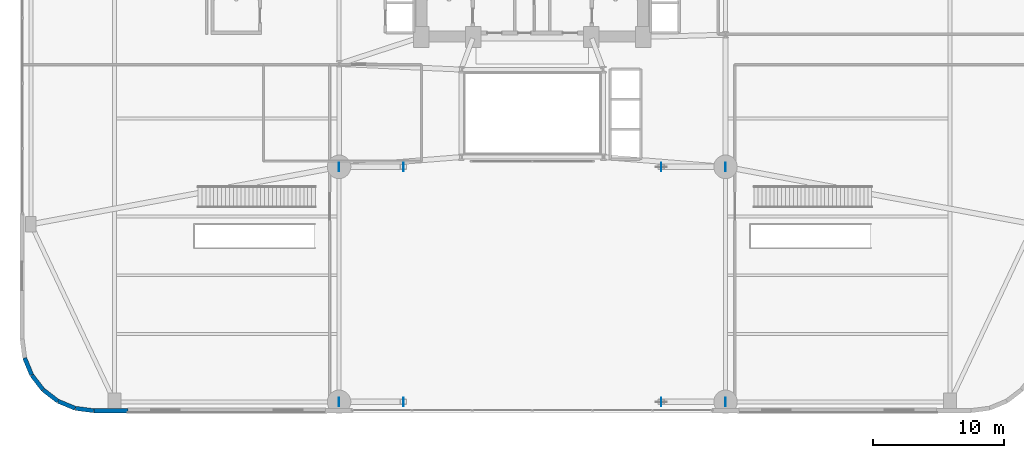
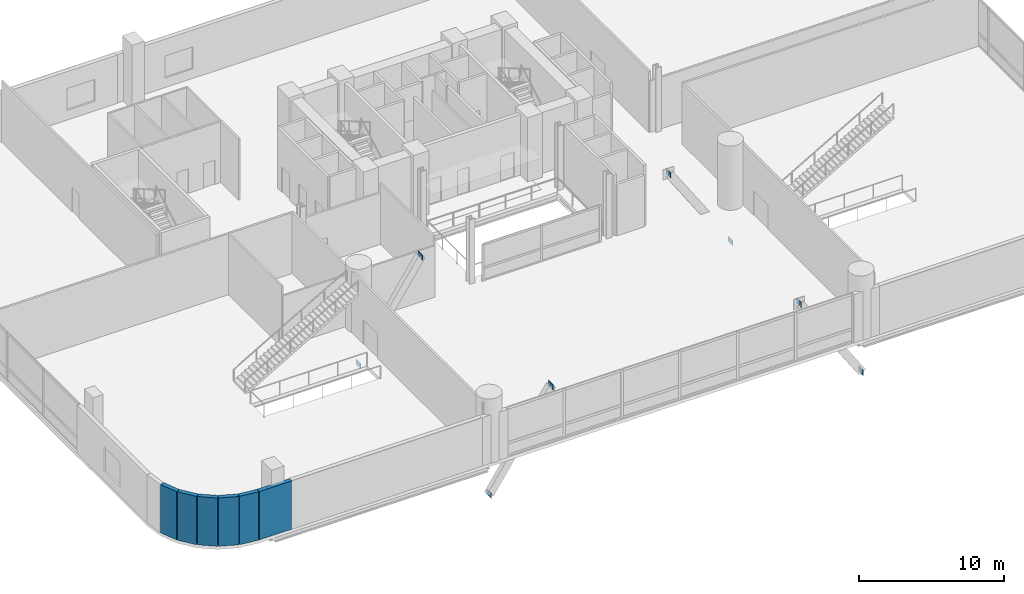
# One storey, part 29 of 40: 8 plates, 6 walls.
"""IFC4 building model written with IfcOpenShell, lengths in metres."""

from ifc_helpers import new_model, si_unit, direction, frame, frame_2d, origin, origin_2d, place, context, subcontext, project, spatial, rectangle, extrude, source, transform, mapped, material, layer, layer_set, type_object, element, save


model = new_model("IFC4")

# Units and contexts
model_context = context("Model", 3, precision=1e-05, world=origin(), true_north=direction((0.0, 1.0)))
body_context = subcontext(model_context, "Body", "Model", "MODEL_VIEW")
ifc_project = project(units=[si_unit("LENGTHUNIT", "METRE"), si_unit("AREAUNIT", "SQUARE_METRE"), si_unit("VOLUMEUNIT", "CUBIC_METRE"), si_unit("PLANEANGLEUNIT", "RADIAN"), si_unit("MASSUNIT", "GRAM", prefix="KILO")], contexts=[model_context])

# Site, building, storey
site_placement = place(None, origin())
site = spatial("IfcSite", under=ifc_project, at=site_placement, CompositionType="ELEMENT")
building_placement = place(site_placement, origin())
building = spatial("IfcBuilding", under=site, at=building_placement, Name="Varnelok Gate Tower", CompositionType="ELEMENT")
storey_placement = place(building_placement, frame((0.0, 0.0, 5.39990234375)))
storey = spatial("IfcBuildingStorey", under=building, at=storey_placement, Name="L01", CompositionType="ELEMENT", Elevation=5.39990234375)

# Plates
ifc_material_1 = material(Name="Structural Steel ASTM A572 Grade 50", Category="steel")
ifc_layer_1 = layer(ifc_material_1, 0.030029296875)
ifc_layer_set_1 = layer_set([ifc_layer_1], Name="Structural Steel ASTM A572 Grade 50")
plate_type = type_object("IfcPlateType", Name="PLT-ENDCAP-30", PredefinedType="SHEET", material=ifc_layer_set_1)
shared_shape = source(origin(), body_context, "Body", "SweptSolid", [
    extrude(rectangle(XDim=0.030029296875, YDim=0.639892578125, at=origin_2d()), origin(), (0.0, 0.0, 1.0), 0.43994140625),
])
for number, where, z_axis, x_axis, name in (
    (1, (24.4091796875, 0.800048828125, -3.40625), (0.0, 0.0, 1.0), (1.0, 0.0, 0.0), "L01 hollow member sealed end plate 1"),
    (2, (29.32421875, 0.800048828125, 3.999755859375), (0.0, 0.0, 1.0), (1.0, 0.0, 0.0), "L01 hollow member sealed end plate 2"),
    (3, (49.07568359375, 0.800048828125, 3.999755859375), (0.0, 0.0, 1.0), (1.0, 0.0, 0.0), "L01 hollow member sealed end plate 1"),
    (4, (53.990966796875, 0.800048828125, -3.40625), (0.0, 0.0, 1.0), (1.0, 0.0, 0.0), "L01 hollow member sealed end plate 2"),
    (5, (24.4091796875, 18.800048828125, -3.40625), (0.0, 0.0, 1.0), (1.0, 0.0, 0.0), "L01 hollow member sealed end plate 1"),
    (6, (29.32421875, 18.800048828125, 3.999755859375), (0.0, 0.0, 1.0), (1.0, 0.0, 0.0), "L01 hollow member sealed end plate 2"),
    (7, (49.07568359375, 18.800048828125, 3.999755859375), (0.0, 0.0, 1.0), (1.0, 0.0, 0.0), "L01 hollow member sealed end plate 1"),
    (8, (53.990966796875, 18.800048828125, -3.40625), (0.0, 0.0, 1.0), (1.0, 0.0, 0.0), "L01 hollow member sealed end plate 2"),
):
    element("IfcPlate", number, at=place(storey_placement, frame(where, z_axis=z_axis, x_axis=x_axis)), inside=storey, type_object=plate_type, Name=name, PredefinedType="SHEET", context=body_context, shape_type="MappedRepresentation", body=[
        mapped(shared_shape, transform((0.0, 0.0, 0.0), scale=1.0)),
    ])

# Walls
ifc_material_2 = material(Name="Concrete C45/55", Category="concrete")
ifc_layer_2 = layer(ifc_material_2, 0.320068359375)
ifc_layer_set_2 = layer_set([ifc_layer_2], Name="Concrete C45/55")
wall_type = type_object("IfcWallType", Name="EW-POD-320", PredefinedType="SOLIDWALL", material=ifc_layer_set_2)
wall_1_placement = place(storey_placement, frame((0.3173828125, 4.15869140625, 0.0), z_axis=(0.0, 0.0, 1.0), x_axis=(0.382628033724, -0.923902477434, 0.0)))
element("IfcWall", 9, at=wall_1_placement, inside=storey, type_object=wall_type, Name="L01 Perimeter Facade Closure Wall 2", PredefinedType="SOLIDWALL", context=body_context, shape_type="SweptSolid", body=[
    extrude(rectangle(XDim=1.405029296875, YDim=0.320068359375, at=frame_2d((0.70263671875, 0.0))), origin(), (0.0, 0.0, 1.0), 4.070068359375),
])
wall_2_placement = place(storey_placement, frame((0.870361328125, 2.8408203125, 0.0), z_axis=(0.0, 0.0, 1.0), x_axis=(0.60871962085, -0.79338541907, 0.0)))
element("IfcWall", 10, at=wall_2_placement, inside=storey, type_object=wall_type, Name="L01 Perimeter Facade Closure Wall 3", PredefinedType="SOLIDWALL", context=body_context, shape_type="SweptSolid", body=[
    extrude(rectangle(XDim=1.4052734375, YDim=0.320068359375, at=frame_2d((0.70263671875, 0.0))), origin(), (0.0, 0.0, 1.0), 4.070068359375),
])
for number, where, z_axis, x_axis, name in (
    (11, (1.74560546875, 1.710693359375, 0.0), (0.0, 0.0, 1.0), (0.793301521807, -0.608828954222, 0.0), "L01 Perimeter Facade Closure Wall 4"),
    (12, (2.883544921875, 0.845703125, 0.0), (0.0, 0.0, 1.0), (0.923805060986, -0.382863173075, 0.0), "L01 Perimeter Facade Closure Wall 5"),
):
    element("IfcWall", number, at=place(storey_placement, frame(where, z_axis=z_axis, x_axis=x_axis)), inside=storey, type_object=wall_type, Name=name, PredefinedType="SOLIDWALL", context=body_context, shape_type="SweptSolid", body=[
        extrude(rectangle(XDim=1.405517578125, YDim=0.320068359375, at=frame_2d((0.70263671875, 0.0))), origin(), (0.0, 0.0, 1.0), 4.070068359375),
    ])
wall_3_placement = place(storey_placement, frame((4.206787109375, 0.304443359375, 0.0), z_axis=(0.0, 0.0, 1.0), x_axis=(0.991457235349, -0.130432168094, 0.0)))
element("IfcWall", 13, at=wall_3_placement, inside=storey, type_object=wall_type, Name="L01 Perimeter Facade Closure Wall 6", PredefinedType="SOLIDWALL", context=body_context, shape_type="SweptSolid", body=[
    extrude(rectangle(XDim=1.4130859375, YDim=0.320068359375, at=frame_2d((0.70654296875, 0.0))), origin(), (0.0, 0.0, 1.0), 4.070068359375),
])
wall_4_placement = place(storey_placement, frame((5.6328125, 0.1201171875, 0.0), z_axis=(0.0, 0.0, 1.0), x_axis=(1.0, 0.0, 0.0)))
element("IfcWall", 14, at=wall_4_placement, inside=storey, type_object=wall_type, Name="L01 Perimeter Facade Closure Wall 7", PredefinedType="SOLIDWALL", context=body_context, shape_type="SweptSolid", body=[
    extrude(rectangle(XDim=2.59716796875, YDim=0.320068359375, at=frame_2d((1.298583984375, 0.0))), origin(), (0.0, 0.0, 1.0), 4.070068359375),
])

save(model, "model.ifc")
